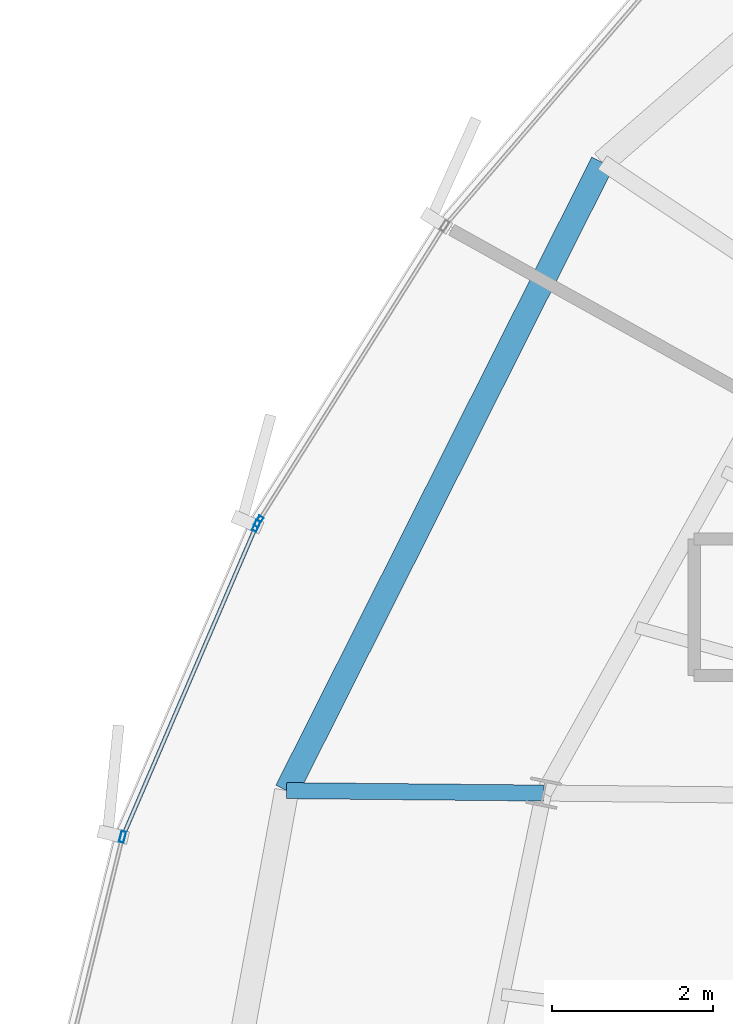
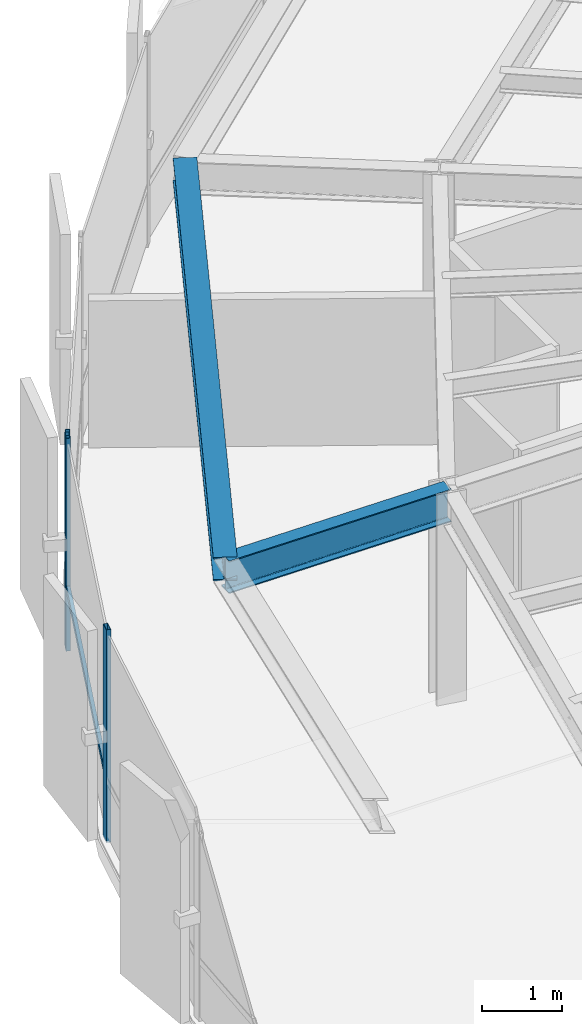
# One storey, part 11 of 34: 4 members, 2 beams, 2 elements without a shape of their own.
"""IFC4 building model written with IfcOpenShell, lengths in metres."""

from ifc_helpers import new_model, si_unit, direction, frame, origin, origin_2d, place, context, subcontext, project, spatial, hollow_rectangle, i_section, extrude, source, transform, mapped, material, layer, layer_set, material_profile, profile_set, type_object, element, aggregate, save


model = new_model("IFC4")

# Units and contexts
model_context = context("Model", 3, precision=1e-05, world=origin(), true_north=direction((0.0, 1.0)))
body_context = subcontext(model_context, "Body", "Model", "MODEL_VIEW")
ifc_project = project(units=[si_unit("LENGTHUNIT", "METRE"), si_unit("AREAUNIT", "SQUARE_METRE"), si_unit("VOLUMEUNIT", "CUBIC_METRE"), si_unit("PLANEANGLEUNIT", "RADIAN"), si_unit("MASSUNIT", "GRAM", prefix="KILO"), si_unit("THERMODYNAMICTEMPERATUREUNIT", "KELVIN")], contexts=[model_context])

# Site, building, storey
site_placement = place(None, origin())
site = spatial("IfcSite", under=ifc_project, at=site_placement, CompositionType="ELEMENT")
building_placement = place(site_placement, origin())
building = spatial("IfcBuilding", under=site, at=building_placement, Name="Kethvar Cultural Tower", CompositionType="ELEMENT")
storey_placement = place(building_placement, frame((0.0, 0.0, 183.39990234375)))
storey = spatial("IfcBuildingStorey", under=building, at=storey_placement, Name="L47", CompositionType="ELEMENT", Elevation=183.39990234375)

# Beams
ifc_material_1 = material(Name="Steel S355J2", Category="steel")
ifc_material_profile_1 = material_profile(ifc_material_1, i_section(OverallWidth=0.199951171875, OverallDepth=0.5, WebThickness=0.01025390625, FlangeThickness=0.01611328125, FilletRadius=0.02099609375, at=origin_2d()), Name="Steel S355J2 — IPE500")
ifc_profile_set_1 = profile_set([ifc_material_profile_1], Name="Steel S355J2 — IPE500")
beam_type_1 = type_object("IfcBeamType", Name="BM-IPE500", PredefinedType="BEAM", material=ifc_profile_set_1)
shared_shape_1 = source(origin(), body_context, "Body", "SweptSolid", [
    extrude(i_section(OverallWidth=0.199951171875, OverallDepth=0.5, WebThickness=0.01025390625, FlangeThickness=0.01611328125, FilletRadius=0.02099609375, at=origin_2d()), origin(), (0.0, 0.0, 1.0), 3.2001953125),
])
beam_1_placement = place(storey_placement, frame((29.02490234375, 31.335693359375, 3.008056640625), z_axis=(-0.999954526979, 0.009536455014, 0.0), x_axis=(-0.009536455014, -0.999954526979, 0.0)))
element("IfcBeam", 1, at=beam_1_placement, inside=storey, type_object=beam_type_1, Name="L47 Perimeter Cantilever Beam RC-08", PredefinedType="BEAM", context=body_context, shape_type="MappedRepresentation", body=[
    mapped(shared_shape_1, transform((0.0, 0.0, 0.0), scale=1.0)),
])
ifc_material_profile_2 = material_profile(ifc_material_1, i_section(OverallWidth=0.300048828125, OverallDepth=0.360107421875, WebThickness=0.012451171875, FlangeThickness=0.0224609375, FilletRadius=0.027099609375, at=origin_2d()), Name="Steel S355J2 — HEB360")
ifc_profile_set_2 = profile_set([ifc_material_profile_2], Name="Steel S355J2 — HEB360")
beam_type_2 = type_object("IfcBeamType", Name="BM-SP360", PredefinedType="SPANDREL", material=ifc_profile_set_2)
shared_shape_2 = source(origin(), body_context, "Body", "SweptSolid", [
    extrude(i_section(OverallWidth=0.300048828125, OverallDepth=0.360107421875, WebThickness=0.012451171875, FlangeThickness=0.0224609375, FilletRadius=0.027099609375, at=origin_2d()), origin(), (0.0, 0.0, 1.0), 8.754150390625),
])
beam_2_placement = place(storey_placement, frame((29.757568359375, 39.187255859375, 3.078125), z_axis=(-0.449231599727, -0.893415340033, 0.0), x_axis=(0.893415340033, -0.449231599727, 0.0)))
element("IfcBeam", 2, at=beam_2_placement, inside=storey, type_object=beam_type_2, Name="L47 Perimeter Spandrel Beam SP-07", PredefinedType="SPANDREL", context=body_context, shape_type="MappedRepresentation", body=[
    mapped(shared_shape_2, transform((0.0, 0.0, 0.0), scale=1.0)),
])

# Curtain wall, member
ifc_material_2 = material(Name="Aluminium 6063-T6", Category="aluminium")
ifc_layer = layer(ifc_material_2, 0.179931640625, Name="Aluminium 6063-T6", Category="aluminium")
ifc_layer_set = layer_set([ifc_layer], Name="Aluminium 6063-T6 (180 mm)")
curtain_wall_type = type_object("IfcCurtainWallType", Name="CW-SYS-04-Z34", PredefinedType="NOTDEFINED", material=ifc_layer_set)
curtain_wall_1_placement = place(storey_placement, origin())
curtain_wall_1 = element("IfcCurtainWall", 3, at=curtain_wall_1_placement, inside=storey, type_object=curtain_wall_type, Name="L47 Curtain Wall Run 02", PredefinedType="NOTDEFINED")
ifc_material_profile_3 = material_profile(ifc_material_2, hollow_rectangle(XDim=0.06005859375, YDim=0.139892578125, WallThickness=0.0048828125, at=origin_2d()), Name="Aluminium 6063-T6 — RHS140x60x5")
ifc_profile_set_3 = profile_set([ifc_material_profile_3], Name="Aluminium 6063-T6 — RHS140x60x5")
member_type_1 = type_object("IfcMemberType", Name="CW-SYS-04-Z34-MUL", PredefinedType="MULLION", material=ifc_profile_set_3)
shared_shape_3 = source(origin(), body_context, "Body", "SweptSolid", [
    extrude(hollow_rectangle(XDim=0.06005859375, YDim=0.139892578125, WallThickness=0.0048828125, at=origin_2d()), origin(), (0.0, 0.0, 1.0), 3.260009765625),
])
member_1_placement = place(storey_placement, frame((25.474365234375, 34.71728515625, 0.0), z_axis=(0.0, 0.0, 1.0), x_axis=(0.846379123481, -0.532580866475, 0.0)))
member_1 = element("IfcMember", 4, at=member_1_placement, type_object=member_type_1, Name="CW-L47-R02 Mullion 7", PredefinedType="MULLION", context=body_context, shape_type="MappedRepresentation", body=[
    mapped(shared_shape_3, transform((0.0, 0.0, 0.0), scale=1.0)),
])
aggregate(curtain_wall_1, [member_1])

# Curtain wall, members
curtain_wall_2_placement = place(storey_placement, origin())
curtain_wall_2 = element("IfcCurtainWall", 5, at=curtain_wall_2_placement, inside=storey, type_object=curtain_wall_type, Name="L47 Curtain Wall Run 03", PredefinedType="NOTDEFINED")
member_2_placement = place(storey_placement, frame((25.4462890625, 34.66357421875, 0.0), z_axis=(0.0, 0.0, 1.0), x_axis=(0.918832542591, -0.394647638629, 0.0)))
member_2 = element("IfcMember", 6, at=member_2_placement, type_object=member_type_1, Name="CW-L47-R03 Mullion 1", PredefinedType="MULLION", context=body_context, shape_type="MappedRepresentation", body=[
    mapped(shared_shape_3, transform((0.0, 0.0, 0.0), scale=1.0)),
])
member_3_placement = place(storey_placement, frame((23.781005859375, 30.790771484375, 0.0), z_axis=(0.0, 0.0, 1.0), x_axis=(0.971321324108, -0.237770657007, 0.0)))
member_3 = element("IfcMember", 7, at=member_3_placement, type_object=member_type_1, Name="CW-L47-R03 Mullion 2", PredefinedType="MULLION", context=body_context, shape_type="MappedRepresentation", body=[
    mapped(shared_shape_3, transform((0.0, 0.0, 0.0), scale=1.0)),
])
ifc_material_profile_4 = material_profile(ifc_material_2, hollow_rectangle(XDim=0.050048828125, YDim=0.10009765625, WallThickness=0.00390625, at=origin_2d()), Name="Aluminium 6063-T6 — RHS100x50x4")
ifc_profile_set_4 = profile_set([ifc_material_profile_4], Name="Aluminium 6063-T6 — RHS100x50x4")
member_type_2 = type_object("IfcMemberType", Name="CW-SYS-04-Z34-TRN", PredefinedType="USERDEFINED", material=ifc_profile_set_4)
shared_shape_4 = source(origin(), body_context, "Body", "SweptSolid", [
    extrude(hollow_rectangle(XDim=0.050048828125, YDim=0.10009765625, WallThickness=0.00390625, at=origin_2d()), origin(), (0.0, 0.0, 1.0), 4.186279296875),
])
member_4_placement = place(storey_placement, frame((25.444580078125, 34.65966796875, 0.9501953125), z_axis=(-0.394651189741, -0.918831017345, 0.0), x_axis=(0.918831017345, -0.394651189741, 0.0)))
member_4 = element("IfcMember", 8, at=member_4_placement, type_object=member_type_2, Name="CW-L47-R03 Transom 1", ObjectType="TRANSOM", PredefinedType="USERDEFINED", context=body_context, shape_type="MappedRepresentation", body=[
    mapped(shared_shape_4, transform((0.0, 0.0, 0.0), scale=1.0)),
])
aggregate(curtain_wall_2, [member_2, member_3, member_4])

save(model, "model.ifc")
